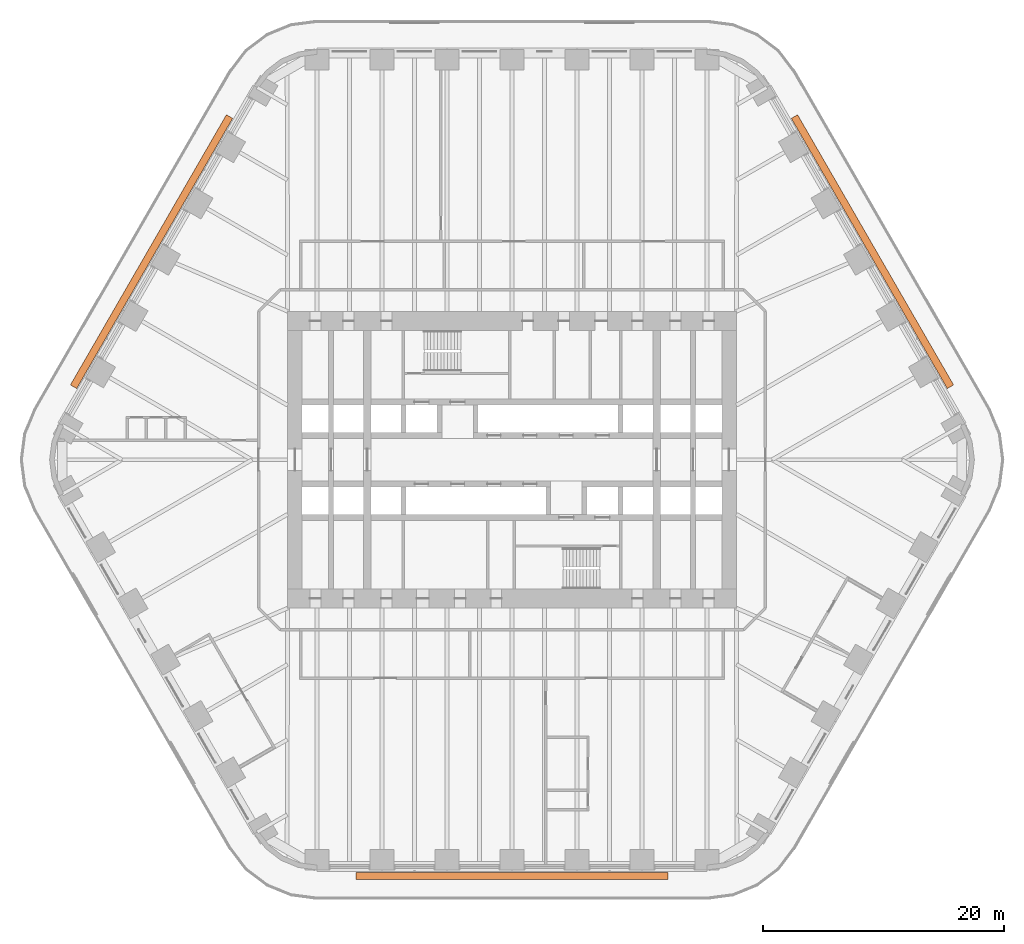
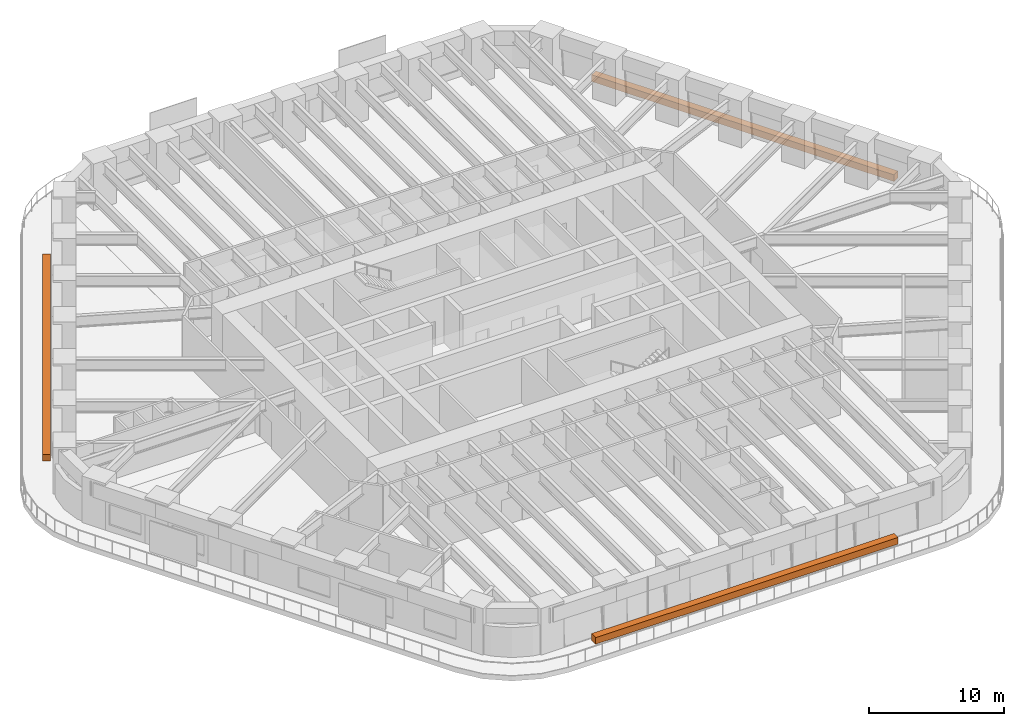
# One storey, part 23 of 23: 3 proxies.
"""IFC4 building model written with IfcOpenShell, lengths in metres."""

from ifc_helpers import new_model, si_unit, direction, frame, origin, origin_2d, place, context, subcontext, project, spatial, rectangle, extrude, material, element, save


model = new_model("IFC4")

# Units and contexts
model_context = context("Model", 3, precision=1e-05, world=origin(), true_north=direction((0.0, 1.0)))
body_context = subcontext(model_context, "Body", "Model", "MODEL_VIEW")
ifc_project = project(units=[si_unit("LENGTHUNIT", "METRE"), si_unit("AREAUNIT", "SQUARE_METRE"), si_unit("VOLUMEUNIT", "CUBIC_METRE"), si_unit("PLANEANGLEUNIT", "RADIAN"), si_unit("MASSUNIT", "GRAM", prefix="KILO")], contexts=[model_context])

# Site, building, storey
site_placement = place(None, origin())
site = spatial("IfcSite", under=ifc_project, at=site_placement, CompositionType="ELEMENT")
building_placement = place(site_placement, origin())
building = spatial("IfcBuilding", under=site, at=building_placement, Name="Tarfa Lantern Tower", CompositionType="ELEMENT")
storey_placement = place(building_placement, frame((0.0, 0.0, 78.10009765625)))
storey = spatial("IfcBuildingStorey", under=building, at=storey_placement, Name="L17", CompositionType="ELEMENT", Elevation=78.10009765625)

# Proxies
ifc_material = material(Name="Planting bed")
for number, where, z_axis, x_axis, name in (
    (1, (29.8779296875, 17.25, -0.000244140625), (0.0, 0.0, 1.0), (-0.5, 0.866025403784, 0.0), "Balcony planter"),
    (2, (-29.8779296875, 17.25, -0.000244140625), (0.0, 0.0, 1.0), (-0.5, -0.866025403784, 0.0), "Balcony planter"),
    (3, (0.0, -34.5, -0.000244140625), (0.0, 0.0, 1.0), (1.0, 0.0, 0.0), "Balcony planter"),
):
    element("IfcBuildingElementProxy", number, at=place(storey_placement, frame(where, z_axis=z_axis, x_axis=x_axis)), inside=storey, material=ifc_material, Name=name, ObjectType="PLANTER", PredefinedType="USERDEFINED", context=body_context, shape_type="SweptSolid", body=[
        extrude(rectangle(XDim=25.865234375, YDim=0.60009765625, at=origin_2d()), origin(), (0.0, 0.0, 1.0), 0.60009765625),
    ])

save(model, "model.ifc")
